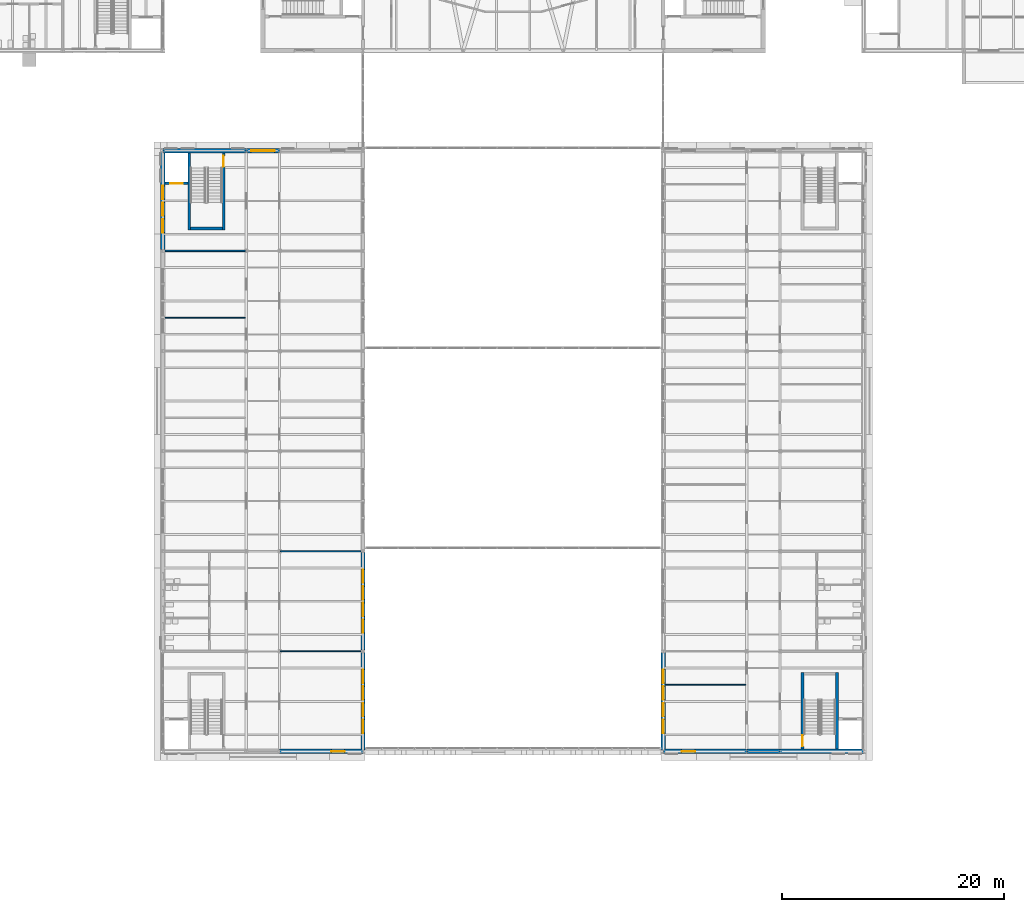
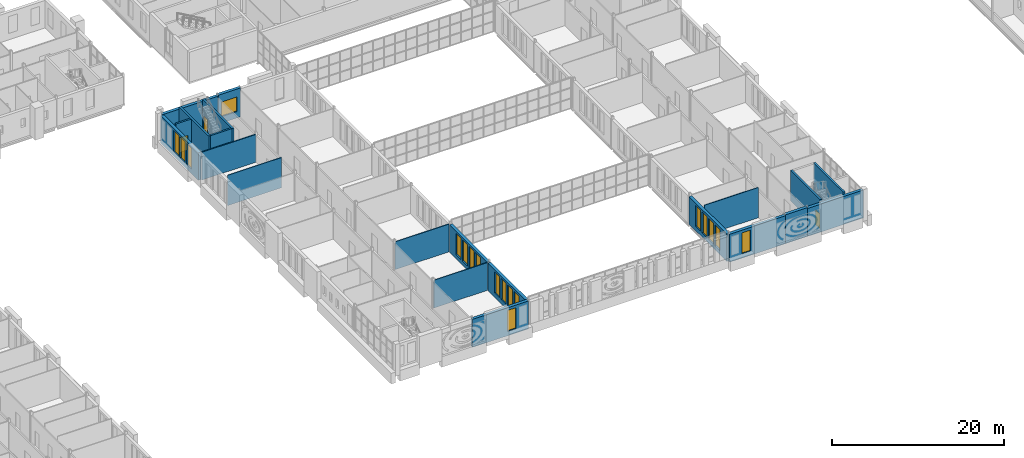
# One storey, part 76 of 131: 21 walls, 18 windows, 3 doors, 21 openings.
"""IFC4 building model written with IfcOpenShell, lengths in metres."""

from ifc_helpers import new_model, si_unit, direction, frame, frame_2d, origin, place, context, subcontext, project, spatial, rectangle, extrude, material, layer, layer_set, type_object, element, fill, save


model = new_model("IFC4")

# Units and contexts
model_context = context("Model", 3, precision=1e-05, world=origin(), true_north=direction((0.0, 1.0)))
body_context = subcontext(model_context, "Body", "Model", "MODEL_VIEW")
ifc_project = project(units=[si_unit("LENGTHUNIT", "METRE"), si_unit("AREAUNIT", "SQUARE_METRE"), si_unit("VOLUMEUNIT", "CUBIC_METRE"), si_unit("PLANEANGLEUNIT", "RADIAN"), si_unit("MASSUNIT", "GRAM", prefix="KILO")], contexts=[model_context])

# Site, building, storey
site_placement = place(None, origin())
site = spatial("IfcSite", under=ifc_project, at=site_placement, CompositionType="ELEMENT")
building_placement = place(site_placement, origin())
building = spatial("IfcBuilding", under=site, at=building_placement, Name="Golden Quay Civic Hall", CompositionType="ELEMENT")
storey_placement = place(building_placement, frame((0.0, 0.0, 9.89990234375)))
storey = spatial("IfcBuildingStorey", under=building, at=storey_placement, Name="L02", CompositionType="ELEMENT", Elevation=9.89990234375)

# Wall
ifc_material_1 = material(Name="Concrete C40/50", Category="concrete")
ifc_layer_1 = layer(ifc_material_1, 0.25)
ifc_layer_set_1 = layer_set([ifc_layer_1], Name="Concrete core wall 250, Concrete C40/50")
wall_type_1 = type_object("IfcWallType", Name="Concrete core wall 250", PredefinedType="SHEAR", material=ifc_layer_set_1)
wall_1_placement = place(storey_placement, frame((56.375, 46.89990234375, 0.0), z_axis=(0.0, 0.0, 1.0), x_axis=(0.0, 1.0, 0.0)))
element("IfcWall", 1, at=wall_1_placement, inside=storey, type_object=wall_type_1, Name="Core wall WM-N-W1", PredefinedType="SHEAR", context=body_context, shape_type="SweptSolid", body=[
    extrude(rectangle(XDim=6.900146484375, YDim=0.25, at=frame_2d((3.4501953125, 0.0))), origin(), (0.0, 0.0, 1.0), 4.300048828125),
])

# Wall, opening, door
wall_2_placement = place(storey_placement, frame((59.47509765625, 46.89990234375, 0.0), z_axis=(0.0, 0.0, 1.0), x_axis=(0.0, 1.0, 0.0)))
wall_2 = element("IfcWall", 2, at=wall_2_placement, inside=storey, type_object=wall_type_1, Name="Core wall WM-N-W2", PredefinedType="SHEAR", context=body_context, shape_type="SweptSolid", body=[
    extrude(rectangle(XDim=6.900146484375, YDim=0.25, at=frame_2d((3.4501953125, 0.0))), origin(), (0.0, 0.0, 1.0), 4.300048828125),
])
opening_1_placement = place(wall_2_placement, frame((5.64990234375, 0.0, 0.0)))
opening_1 = element("IfcOpeningElement", 3, at=opening_1_placement, cuts=wall_2, Name="Opening L02-D103", PredefinedType="OPENING", context=body_context, shape_type="SweptSolid", body=[
    extrude(rectangle(XDim=1.0, YDim=2.10009765625, at=frame_2d((0.5, 1.050048828125))), frame((0.0, 0.135009765625, 0.0), z_axis=(0.0, -1.0, 0.0), x_axis=(1.0, 0.0, 0.0)), (0.0, 0.0, 1.0), 0.27001953125),
])
ifc_material_2 = material(Name="Steel", Category="steel")
door_type_1 = type_object("IfcDoorType", Name="Steel fire door FD60 1000 x 2100", OperationType="SINGLE_SWING_LEFT", PredefinedType="DOOR", material=ifc_material_2)
door_1_placement = place(opening_1_placement, origin())
door_1 = element("IfcDoor", 4, at=door_1_placement, inside=storey, type_object=door_type_1, Name="Door L02-D103", OperationType="SINGLE_SWING_LEFT", OverallHeight=2.10009765625, OverallWidth=1.0, PredefinedType="DOOR", context=body_context, shape_type="SweptSolid", body=[
    extrude(rectangle(XDim=1.0, YDim=2.10009765625, at=frame_2d((0.5, 1.050048828125))), frame((0.0, 0.02490234375, 0.0), z_axis=(0.0, -1.0, 0.0), x_axis=(1.0, 0.0, 0.0)), (0.0, 0.0, 1.0), 0.050048828125),
])
fill(opening_1, door_1)

# Wall
wall_3_placement = place(storey_placement, frame((56.5, 47.02490234375, 0.0), z_axis=(0.0, 0.0, 1.0), x_axis=(1.0, 0.0, 0.0)))
element("IfcWall", 5, at=wall_3_placement, inside=storey, type_object=wall_type_1, Name="Core wall WM-N-W3", PredefinedType="SHEAR", context=body_context, shape_type="SweptSolid", body=[
    extrude(rectangle(XDim=2.85009765625, YDim=0.25, at=frame_2d((1.425048828125, 0.0))), origin(), (0.0, 0.0, 1.0), 4.300048828125),
])

# Wall, opening, door
wall_4_placement = place(storey_placement, frame((54.199951171875, 51.074951171875, 0.0), z_axis=(0.0, 0.0, 1.0), x_axis=(1.0, 0.0, 0.0)))
wall_4 = element("IfcWall", 6, at=wall_4_placement, inside=storey, type_object=wall_type_1, Name="Core wall WM-N-W4", PredefinedType="SHEAR", context=body_context, shape_type="SweptSolid", body=[
    extrude(rectangle(XDim=2.050048828125, YDim=0.25, at=frame_2d((1.02490234375, 0.0))), origin(), (0.0, 0.0, 1.0), 4.300048828125),
])
opening_2_placement = place(wall_4_placement, frame((0.47509765625, 0.0, 0.0)))
opening_2 = element("IfcOpeningElement", 7, at=opening_2_placement, cuts=wall_4, Name="Opening L02-D106", PredefinedType="OPENING", context=body_context, shape_type="SweptSolid", body=[
    extrude(rectangle(XDim=1.10009765625, YDim=2.10009765625, at=frame_2d((0.550048828125, 1.050048828125))), frame((0.0, 0.135009765625, 0.0), z_axis=(0.0, -1.0, 0.0), x_axis=(1.0, 0.0, 0.0)), (0.0, 0.0, 1.0), 0.27001953125),
])
ifc_material_3 = material(Name="Steel", Category="steel")
door_type_2 = type_object("IfcDoorType", Name="Lift landing door 1100 x 2100", OperationType="SLIDING_TO_LEFT", PredefinedType="DOOR", material=ifc_material_3)
door_2_placement = place(opening_2_placement, origin())
door_2 = element("IfcDoor", 8, at=door_2_placement, inside=storey, type_object=door_type_2, Name="Lift landing door L02-D106 WM-N", OperationType="SLIDING_TO_LEFT", OverallHeight=2.10009765625, OverallWidth=1.10009765625, PredefinedType="DOOR", context=body_context, shape_type="SweptSolid", body=[
    extrude(rectangle(XDim=1.10009765625, YDim=2.10009765625, at=frame_2d((0.550048828125, 1.050048828125))), frame((0.0, 0.02490234375, 0.0), z_axis=(0.0, -1.0, 0.0), x_axis=(1.0, 0.0, 0.0)), (0.0, 0.0, 1.0), 0.050048828125),
])
fill(opening_2, door_2)

# Wall
wall_5_placement = place(storey_placement, frame((114.625, 0.199951171875, 0.0), z_axis=(0.0, 0.0, 1.0), x_axis=(0.0, 1.0, 0.0)))
element("IfcWall", 9, at=wall_5_placement, inside=storey, type_object=wall_type_1, Name="Core wall EM-S-W1", PredefinedType="SHEAR", context=body_context, shape_type="SweptSolid", body=[
    extrude(rectangle(XDim=6.900146484375, YDim=0.25, at=frame_2d((3.4501953125, 0.0))), origin(), (0.0, 0.0, 1.0), 4.300048828125),
])

# Wall, opening, door
wall_6_placement = place(storey_placement, frame((111.52490234375, 0.199951171875, 0.0), z_axis=(0.0, 0.0, 1.0), x_axis=(0.0, 1.0, 0.0)))
wall_6 = element("IfcWall", 10, at=wall_6_placement, inside=storey, type_object=wall_type_1, Name="Core wall EM-S-W2", PredefinedType="SHEAR", context=body_context, shape_type="SweptSolid", body=[
    extrude(rectangle(XDim=6.900146484375, YDim=0.25, at=frame_2d((3.4501953125, 0.0))), origin(), (0.0, 0.0, 1.0), 4.300048828125),
])
opening_3_placement = place(wall_6_placement, frame((0.25, 0.0, 0.0)))
opening_3 = element("IfcOpeningElement", 11, at=opening_3_placement, cuts=wall_6, Name="Opening L02-D124", PredefinedType="OPENING", context=body_context, shape_type="SweptSolid", body=[
    extrude(rectangle(XDim=1.0, YDim=2.10009765625, at=frame_2d((0.5, 1.050048828125))), frame((0.0, 0.135009765625, 0.0), z_axis=(0.0, -1.0, 0.0), x_axis=(1.0, 0.0, 0.0)), (0.0, 0.0, 1.0), 0.27001953125),
])
door_3_placement = place(opening_3_placement, frame((1.0, 0.0, 0.0), z_axis=(0.0, 0.0, 1.0), x_axis=(-1.0, 0.0, 0.0)))
door_3 = element("IfcDoor", 12, at=door_3_placement, inside=storey, type_object=door_type_1, Name="Door L02-D124", OperationType="SINGLE_SWING_RIGHT", OverallHeight=2.10009765625, OverallWidth=1.0, PredefinedType="DOOR", context=body_context, shape_type="SweptSolid", body=[
    extrude(rectangle(XDim=1.0, YDim=2.10009765625, at=frame_2d((0.5, 1.050048828125))), frame((0.0, 0.025146484375, 0.0), z_axis=(0.0, -1.0, 0.0), x_axis=(1.0, 0.0, 0.0)), (0.0, 0.0, 1.0), 0.050048828125),
])
fill(opening_3, door_3)

# Walls
ifc_material_4 = material(Name="Plasterboard on steel studs", Category="steel")
ifc_layer_2 = layer(ifc_material_4, 0.10009765625)
ifc_layer_set_2 = layer_set([ifc_layer_2], Name="Partition 100 stud")
wall_type_2 = type_object("IfcWallType", Name="Partition 100 stud", PredefinedType="PARTITIONING", material=ifc_layer_set_2)
wall_7_placement = place(storey_placement, frame((54.199951171875, 39.0, 0.0), z_axis=(0.0, 0.0, 1.0), x_axis=(1.0, 0.0, 0.0)))
element("IfcWall", 13, at=wall_7_placement, inside=storey, type_object=wall_type_2, Name="Partition L02-004", PredefinedType="PARTITIONING", context=body_context, shape_type="SweptSolid", body=[
    extrude(rectangle(XDim=7.22509765625, YDim=0.10009765625, at=frame_2d((3.612548828125, 0.0))), origin(), (0.0, 0.0, 1.0), 4.300048828125),
])
for number, where, z_axis, x_axis, name in (
    (14, (64.574951171875, 9.0, 0.0), (0.0, 0.0, 1.0), (1.0, 0.0, 0.0), "Partition L02-006"),
    (15, (64.574951171875, 18.0, 0.0), (0.0, 0.0, 1.0), (1.0, 0.0, 0.0), "Partition L02-007"),
):
    element("IfcWall", number, at=place(storey_placement, frame(where, z_axis=z_axis, x_axis=x_axis)), inside=storey, type_object=wall_type_2, Name=name, PredefinedType="PARTITIONING", context=body_context, shape_type="SweptSolid", body=[
        extrude(rectangle(XDim=7.22509765625, YDim=0.10009765625, at=frame_2d((3.612548828125, 0.0))), origin(), (0.0, 0.0, 1.0), 3.9501953125),
    ])
wall_8_placement = place(storey_placement, frame((99.199951171875, 6.0, 0.0), z_axis=(0.0, 0.0, 1.0), x_axis=(1.0, 0.0, 0.0)))
element("IfcWall", 16, at=wall_8_placement, inside=storey, type_object=wall_type_2, Name="Partition L02-005", PredefinedType="PARTITIONING", context=body_context, shape_type="SweptSolid", body=[
    extrude(rectangle(XDim=7.22509765625, YDim=0.10009765625, at=frame_2d((3.612548828125, 0.0))), origin(), (0.0, 0.0, 1.0), 4.300048828125),
])
ifc_material_5 = material(Name="Plasterboard on steel studs", Category="steel")
ifc_layer_3 = layer(ifc_material_5, 0.14990234375)
ifc_layer_set_3 = layer_set([ifc_layer_3], Name="Partition 150 stud fire EI 60")
wall_type_3 = type_object("IfcWallType", Name="Partition 150 stud fire EI 60", PredefinedType="PARTITIONING", material=ifc_layer_set_3)
wall_9_placement = place(storey_placement, frame((54.199951171875, 45.0, 0.0), z_axis=(0.0, 0.0, 1.0), x_axis=(1.0, 0.0, 0.0)))
element("IfcWall", 17, at=wall_9_placement, inside=storey, type_object=wall_type_3, Name="Partition L02-005", PredefinedType="PARTITIONING", context=body_context, shape_type="SweptSolid", body=[
    extrude(rectangle(XDim=7.22509765625, YDim=0.14990234375, at=frame_2d((3.612548828125, 0.0))), origin(), (0.0, 0.0, 1.0), 3.9501953125),
])

# Wall, opening, window
ifc_material_6 = material(Name="Clay block, rendered, cream")
ifc_layer_4 = layer(ifc_material_6, 0.39990234375)
ifc_layer_set_4 = layer_set([ifc_layer_4], Name="Rendered block external wall 400")
wall_type_4 = type_object("IfcWallType", Name="Rendered block external wall 400", PredefinedType="STANDARD", material=ifc_layer_set_4)
wall_10_placement = place(storey_placement, frame((61.5087890625, 54.0, 0.0), z_axis=(0.0, 0.0, 1.0), x_axis=(1.0, 0.0, 0.0)))
wall_10 = element("IfcWall", 18, at=wall_10_placement, inside=storey, type_object=wall_type_4, Name="Rendered block external wall 400 L02 25", PredefinedType="STANDARD", context=body_context, shape_type="SweptSolid", body=[
    extrude(rectangle(XDim=2.982421875, YDim=0.39990234375, at=frame_2d((1.4912109375, 0.0))), origin(), (0.0, 0.0, 1.0), 4.10009765625),
])
opening_4_placement = place(wall_10_placement, frame((0.441162109375, 0.0, 0.89990234375)))
opening_4 = element("IfcOpeningElement", 19, at=opening_4_placement, cuts=wall_10, Name="Opening WN2", PredefinedType="OPENING", context=body_context, shape_type="SweptSolid", body=[
    extrude(rectangle(XDim=2.10009765625, YDim=2.10009765625, at=frame_2d((1.050048828125, 1.050048828125))), frame((0.0, 0.2099609375, 0.0), z_axis=(0.0, -1.0, 0.0), x_axis=(1.0, 0.0, 0.0)), (0.0, 0.0, 1.0), 0.419921875),
])
ifc_material_7 = material(Name="Aluminium frame, double glazed", Category="aluminium")
window_type_1 = type_object("IfcWindowType", Name="Corridor end window 2100 x 2100", PartitioningType="SINGLE_PANEL", PredefinedType="WINDOW", material=ifc_material_7)
window_1_placement = place(opening_4_placement, origin())
window_1 = element("IfcWindow", 20, at=window_1_placement, inside=storey, type_object=window_type_1, Name="Corridor end window 2100 x 2100 L02 2", OverallHeight=2.10009765625, OverallWidth=2.10009765625, PartitioningType="SINGLE_PANEL", PredefinedType="WINDOW", context=body_context, shape_type="SweptSolid", body=[
    extrude(rectangle(XDim=2.10009765625, YDim=2.10009765625, at=frame_2d((1.050048828125, 1.050048828125))), frame((0.0, 0.030029296875, 0.0), z_axis=(0.0, -1.0, 0.0), x_axis=(1.0, 0.0, 0.0)), (0.0, 0.0, 1.0), 0.06005859375),
])
fill(opening_4, window_1)

# Wall, openings, windows
wall_11_placement = place(storey_placement, frame((72.0, 8.885009765625, 0.0), z_axis=(0.0, 0.0, 1.0), x_axis=(0.0, -1.0, 0.0)))
wall_11 = element("IfcWall", 21, at=wall_11_placement, inside=storey, type_object=wall_type_4, Name="Rendered block external wall 400 L02 27", PredefinedType="STANDARD", context=body_context, shape_type="SweptSolid", body=[
    extrude(rectangle(XDim=8.77001953125, YDim=0.39990234375, at=frame_2d((4.385009765625, 0.0))), origin(), (0.0, 0.0, 1.0), 3.900146484375),
])
opening_5_placement = place(wall_11_placement, frame((6.034912109375, 0.0, 0.60009765625)))
opening_5 = element("IfcOpeningElement", 22, at=opening_5_placement, cuts=wall_11, Name="Opening WN5", PredefinedType="OPENING", context=body_context, shape_type="SweptSolid", body=[
    extrude(rectangle(XDim=1.199951171875, YDim=3.0, at=frame_2d((0.60009765625, 1.5))), frame((0.0, 0.2099609375, 0.0), z_axis=(0.0, -1.0, 0.0), x_axis=(1.0, 0.0, 0.0)), (0.0, 0.0, 1.0), 0.419921875),
])
opening_6_placement = place(wall_11_placement, frame((4.534912109375, 0.0, 0.60009765625)))
opening_6 = element("IfcOpeningElement", 23, at=opening_6_placement, cuts=wall_11, Name="Opening WN5", PredefinedType="OPENING", context=body_context, shape_type="SweptSolid", body=[
    extrude(rectangle(XDim=1.199951171875, YDim=3.0, at=frame_2d((0.60009765625, 1.5))), frame((0.0, 0.2099609375, 0.0), z_axis=(0.0, -1.0, 0.0), x_axis=(1.0, 0.0, 0.0)), (0.0, 0.0, 1.0), 0.419921875),
])
opening_7_placement = place(wall_11_placement, frame((3.034912109375, 0.0, 0.60009765625)))
opening_7 = element("IfcOpeningElement", 24, at=opening_7_placement, cuts=wall_11, Name="Opening WN5", PredefinedType="OPENING", context=body_context, shape_type="SweptSolid", body=[
    extrude(rectangle(XDim=1.199951171875, YDim=3.0, at=frame_2d((0.60009765625, 1.5))), frame((0.0, 0.2099609375, 0.0), z_axis=(0.0, -1.0, 0.0), x_axis=(1.0, 0.0, 0.0)), (0.0, 0.0, 1.0), 0.419921875),
])
opening_8_placement = place(wall_11_placement, frame((1.534912109375, 0.0, 0.60009765625)))
opening_8 = element("IfcOpeningElement", 25, at=opening_8_placement, cuts=wall_11, Name="Opening WN5", PredefinedType="OPENING", context=body_context, shape_type="SweptSolid", body=[
    extrude(rectangle(XDim=1.199951171875, YDim=3.0, at=frame_2d((0.60009765625, 1.5))), frame((0.0, 0.2099609375, 0.0), z_axis=(0.0, -1.0, 0.0), x_axis=(1.0, 0.0, 0.0)), (0.0, 0.0, 1.0), 0.419921875),
])
ifc_material_8 = material(Name="Aluminium frame, double glazed", Category="aluminium")
window_type_2 = type_object("IfcWindowType", Name="Golden grid window 1200 x 3000", PartitioningType="SINGLE_PANEL", PredefinedType="WINDOW", material=ifc_material_8)
window_2_placement = place(opening_5_placement, origin())
window_2 = element("IfcWindow", 26, at=window_2_placement, inside=storey, type_object=window_type_2, Name="Golden grid window 1200 x 3000 L02 50", OverallHeight=3.0, OverallWidth=1.199951171875, PartitioningType="SINGLE_PANEL", PredefinedType="WINDOW", context=body_context, shape_type="SweptSolid", body=[
    extrude(rectangle(XDim=1.199951171875, YDim=3.0, at=frame_2d((0.60009765625, 1.5))), frame((0.0, 0.030029296875, 0.0), z_axis=(0.0, -1.0, 0.0), x_axis=(1.0, 0.0, 0.0)), (0.0, 0.0, 1.0), 0.06005859375),
])
fill(opening_5, window_2)
window_3_placement = place(opening_6_placement, origin())
window_3 = element("IfcWindow", 27, at=window_3_placement, inside=storey, type_object=window_type_2, Name="Golden grid window 1200 x 3000 L02 51", OverallHeight=3.0, OverallWidth=1.199951171875, PartitioningType="SINGLE_PANEL", PredefinedType="WINDOW", context=body_context, shape_type="SweptSolid", body=[
    extrude(rectangle(XDim=1.199951171875, YDim=3.0, at=frame_2d((0.60009765625, 1.5))), frame((0.0, 0.030029296875, 0.0), z_axis=(0.0, -1.0, 0.0), x_axis=(1.0, 0.0, 0.0)), (0.0, 0.0, 1.0), 0.06005859375),
])
fill(opening_6, window_3)
window_4_placement = place(opening_7_placement, origin())
window_4 = element("IfcWindow", 28, at=window_4_placement, inside=storey, type_object=window_type_2, Name="Golden grid window 1200 x 3000 L02 52", OverallHeight=3.0, OverallWidth=1.199951171875, PartitioningType="SINGLE_PANEL", PredefinedType="WINDOW", context=body_context, shape_type="SweptSolid", body=[
    extrude(rectangle(XDim=1.199951171875, YDim=3.0, at=frame_2d((0.60009765625, 1.5))), frame((0.0, 0.030029296875, 0.0), z_axis=(0.0, -1.0, 0.0), x_axis=(1.0, 0.0, 0.0)), (0.0, 0.0, 1.0), 0.06005859375),
])
fill(opening_7, window_4)
window_5_placement = place(opening_8_placement, origin())
window_5 = element("IfcWindow", 29, at=window_5_placement, inside=storey, type_object=window_type_2, Name="Golden grid window 1200 x 3000 L02 53", OverallHeight=3.0, OverallWidth=1.199951171875, PartitioningType="SINGLE_PANEL", PredefinedType="WINDOW", context=body_context, shape_type="SweptSolid", body=[
    extrude(rectangle(XDim=1.199951171875, YDim=3.0, at=frame_2d((0.60009765625, 1.5))), frame((0.0, 0.030029296875, 0.0), z_axis=(0.0, -1.0, 0.0), x_axis=(1.0, 0.0, 0.0)), (0.0, 0.0, 1.0), 0.06005859375),
])
fill(opening_8, window_5)

wall_12_placement = place(storey_placement, frame((72.0, 17.885009765625, 0.0), z_axis=(0.0, 0.0, 1.0), x_axis=(0.0, -1.0, 0.0)))
wall_12 = element("IfcWall", 30, at=wall_12_placement, inside=storey, type_object=wall_type_4, Name="Rendered block external wall 400 L02 28", PredefinedType="STANDARD", context=body_context, shape_type="SweptSolid", body=[
    extrude(rectangle(XDim=8.77001953125, YDim=0.39990234375, at=frame_2d((4.385009765625, 0.0))), origin(), (0.0, 0.0, 1.0), 3.900146484375),
])
opening_9_placement = place(wall_12_placement, frame((6.034912109375, 0.0, 0.60009765625)))
opening_9 = element("IfcOpeningElement", 31, at=opening_9_placement, cuts=wall_12, Name="Opening WN5", PredefinedType="OPENING", context=body_context, shape_type="SweptSolid", body=[
    extrude(rectangle(XDim=1.199951171875, YDim=3.0, at=frame_2d((0.60009765625, 1.5))), frame((0.0, 0.2099609375, 0.0), z_axis=(0.0, -1.0, 0.0), x_axis=(1.0, 0.0, 0.0)), (0.0, 0.0, 1.0), 0.419921875),
])
opening_10_placement = place(wall_12_placement, frame((4.534912109375, 0.0, 0.60009765625)))
opening_10 = element("IfcOpeningElement", 32, at=opening_10_placement, cuts=wall_12, Name="Opening WN5", PredefinedType="OPENING", context=body_context, shape_type="SweptSolid", body=[
    extrude(rectangle(XDim=1.199951171875, YDim=3.0, at=frame_2d((0.60009765625, 1.5))), frame((0.0, 0.2099609375, 0.0), z_axis=(0.0, -1.0, 0.0), x_axis=(1.0, 0.0, 0.0)), (0.0, 0.0, 1.0), 0.419921875),
])
opening_11_placement = place(wall_12_placement, frame((3.034912109375, 0.0, 0.60009765625)))
opening_11 = element("IfcOpeningElement", 33, at=opening_11_placement, cuts=wall_12, Name="Opening WN5", PredefinedType="OPENING", context=body_context, shape_type="SweptSolid", body=[
    extrude(rectangle(XDim=1.199951171875, YDim=3.0, at=frame_2d((0.60009765625, 1.5))), frame((0.0, 0.2099609375, 0.0), z_axis=(0.0, -1.0, 0.0), x_axis=(1.0, 0.0, 0.0)), (0.0, 0.0, 1.0), 0.419921875),
])
opening_12_placement = place(wall_12_placement, frame((1.534912109375, 0.0, 0.60009765625)))
opening_12 = element("IfcOpeningElement", 34, at=opening_12_placement, cuts=wall_12, Name="Opening WN5", PredefinedType="OPENING", context=body_context, shape_type="SweptSolid", body=[
    extrude(rectangle(XDim=1.199951171875, YDim=3.0, at=frame_2d((0.60009765625, 1.5))), frame((0.0, 0.2099609375, 0.0), z_axis=(0.0, -1.0, 0.0), x_axis=(1.0, 0.0, 0.0)), (0.0, 0.0, 1.0), 0.419921875),
])
window_6_placement = place(opening_9_placement, origin())
window_6 = element("IfcWindow", 35, at=window_6_placement, inside=storey, type_object=window_type_2, Name="Golden grid window 1200 x 3000 L02 54", OverallHeight=3.0, OverallWidth=1.199951171875, PartitioningType="SINGLE_PANEL", PredefinedType="WINDOW", context=body_context, shape_type="SweptSolid", body=[
    extrude(rectangle(XDim=1.199951171875, YDim=3.0, at=frame_2d((0.60009765625, 1.5))), frame((0.0, 0.030029296875, 0.0), z_axis=(0.0, -1.0, 0.0), x_axis=(1.0, 0.0, 0.0)), (0.0, 0.0, 1.0), 0.06005859375),
])
fill(opening_9, window_6)
window_7_placement = place(opening_10_placement, origin())
window_7 = element("IfcWindow", 36, at=window_7_placement, inside=storey, type_object=window_type_2, Name="Golden grid window 1200 x 3000 L02 55", OverallHeight=3.0, OverallWidth=1.199951171875, PartitioningType="SINGLE_PANEL", PredefinedType="WINDOW", context=body_context, shape_type="SweptSolid", body=[
    extrude(rectangle(XDim=1.199951171875, YDim=3.0, at=frame_2d((0.60009765625, 1.5))), frame((0.0, 0.030029296875, 0.0), z_axis=(0.0, -1.0, 0.0), x_axis=(1.0, 0.0, 0.0)), (0.0, 0.0, 1.0), 0.06005859375),
])
fill(opening_10, window_7)
window_8_placement = place(opening_11_placement, origin())
window_8 = element("IfcWindow", 37, at=window_8_placement, inside=storey, type_object=window_type_2, Name="Golden grid window 1200 x 3000 L02 56", OverallHeight=3.0, OverallWidth=1.199951171875, PartitioningType="SINGLE_PANEL", PredefinedType="WINDOW", context=body_context, shape_type="SweptSolid", body=[
    extrude(rectangle(XDim=1.199951171875, YDim=3.0, at=frame_2d((0.60009765625, 1.5))), frame((0.0, 0.030029296875, 0.0), z_axis=(0.0, -1.0, 0.0), x_axis=(1.0, 0.0, 0.0)), (0.0, 0.0, 1.0), 0.06005859375),
])
fill(opening_11, window_8)
window_9_placement = place(opening_12_placement, origin())
window_9 = element("IfcWindow", 38, at=window_9_placement, inside=storey, type_object=window_type_2, Name="Golden grid window 1200 x 3000 L02 57", OverallHeight=3.0, OverallWidth=1.199951171875, PartitioningType="SINGLE_PANEL", PredefinedType="WINDOW", context=body_context, shape_type="SweptSolid", body=[
    extrude(rectangle(XDim=1.199951171875, YDim=3.0, at=frame_2d((0.60009765625, 1.5))), frame((0.0, 0.030029296875, 0.0), z_axis=(0.0, -1.0, 0.0), x_axis=(1.0, 0.0, 0.0)), (0.0, 0.0, 1.0), 0.06005859375),
])
fill(opening_12, window_9)

# Wall, opening, window
wall_13_placement = place(storey_placement, frame((71.9912109375, 0.0, 0.0), z_axis=(0.0, 0.0, 1.0), x_axis=(-1.0, 0.0, 0.0)))
wall_13 = element("IfcWall", 39, at=wall_13_placement, inside=storey, type_object=wall_type_4, Name="Rendered block external wall 400 L02 34", PredefinedType="STANDARD", context=body_context, shape_type="SweptSolid", body=[
    extrude(rectangle(XDim=7.482421875, YDim=0.39990234375, at=frame_2d((3.7412109375, 0.0))), origin(), (0.0, 0.0, 1.0), 3.97021484375),
])
opening_13_placement = place(wall_13_placement, frame((1.641357421875, 0.0, 0.60009765625)))
opening_13 = element("IfcOpeningElement", 40, at=opening_13_placement, cuts=wall_13, Name="Opening WN5", PredefinedType="OPENING", context=body_context, shape_type="SweptSolid", body=[
    extrude(rectangle(XDim=1.199951171875, YDim=3.0, at=frame_2d((0.60009765625, 1.5))), frame((0.0, 0.2099609375, 0.0), z_axis=(0.0, -1.0, 0.0), x_axis=(1.0, 0.0, 0.0)), (0.0, 0.0, 1.0), 0.419921875),
])
window_10_placement = place(opening_13_placement, origin())
window_10 = element("IfcWindow", 41, at=window_10_placement, inside=storey, type_object=window_type_2, Name="Golden grid window 1200 x 3000 L02 74", OverallHeight=3.0, OverallWidth=1.199951171875, PartitioningType="SINGLE_PANEL", PredefinedType="WINDOW", context=body_context, shape_type="SweptSolid", body=[
    extrude(rectangle(XDim=1.199951171875, YDim=3.0, at=frame_2d((0.60009765625, 1.5))), frame((0.0, 0.030029296875, 0.0), z_axis=(0.0, -1.0, 0.0), x_axis=(1.0, 0.0, 0.0)), (0.0, 0.0, 1.0), 0.06005859375),
])
fill(opening_13, window_10)

# Wall, openings, windows
wall_14_placement = place(storey_placement, frame((99.0, 0.114990234375, 0.0), z_axis=(0.0, 0.0, 1.0), x_axis=(0.0, 1.0, 0.0)))
wall_14 = element("IfcWall", 42, at=wall_14_placement, inside=storey, type_object=wall_type_4, Name="Rendered block external wall 400 L02 35", PredefinedType="STANDARD", context=body_context, shape_type="SweptSolid", body=[
    extrude(rectangle(XDim=8.77001953125, YDim=0.39990234375, at=frame_2d((4.385009765625, 0.0))), origin(), (0.0, 0.0, 1.0), 3.900146484375),
])
opening_14_placement = place(wall_14_placement, frame((1.534912109375, 0.0, 0.60009765625)))
opening_14 = element("IfcOpeningElement", 43, at=opening_14_placement, cuts=wall_14, Name="Opening WN5", PredefinedType="OPENING", context=body_context, shape_type="SweptSolid", body=[
    extrude(rectangle(XDim=1.199951171875, YDim=3.0, at=frame_2d((0.60009765625, 1.5))), frame((0.0, 0.2099609375, 0.0), z_axis=(0.0, -1.0, 0.0), x_axis=(1.0, 0.0, 0.0)), (0.0, 0.0, 1.0), 0.419921875),
])
opening_15_placement = place(wall_14_placement, frame((3.034912109375, 0.0, 0.60009765625)))
opening_15 = element("IfcOpeningElement", 44, at=opening_15_placement, cuts=wall_14, Name="Opening WN5", PredefinedType="OPENING", context=body_context, shape_type="SweptSolid", body=[
    extrude(rectangle(XDim=1.199951171875, YDim=3.0, at=frame_2d((0.60009765625, 1.5))), frame((0.0, 0.2099609375, 0.0), z_axis=(0.0, -1.0, 0.0), x_axis=(1.0, 0.0, 0.0)), (0.0, 0.0, 1.0), 0.419921875),
])
opening_16_placement = place(wall_14_placement, frame((4.534912109375, 0.0, 0.60009765625)))
opening_16 = element("IfcOpeningElement", 45, at=opening_16_placement, cuts=wall_14, Name="Opening WN5", PredefinedType="OPENING", context=body_context, shape_type="SweptSolid", body=[
    extrude(rectangle(XDim=1.199951171875, YDim=3.0, at=frame_2d((0.60009765625, 1.5))), frame((0.0, 0.2099609375, 0.0), z_axis=(0.0, -1.0, 0.0), x_axis=(1.0, 0.0, 0.0)), (0.0, 0.0, 1.0), 0.419921875),
])
opening_17_placement = place(wall_14_placement, frame((6.034912109375, 0.0, 0.60009765625)))
opening_17 = element("IfcOpeningElement", 46, at=opening_17_placement, cuts=wall_14, Name="Opening WN5", PredefinedType="OPENING", context=body_context, shape_type="SweptSolid", body=[
    extrude(rectangle(XDim=1.199951171875, YDim=3.0, at=frame_2d((0.60009765625, 1.5))), frame((0.0, 0.2099609375, 0.0), z_axis=(0.0, -1.0, 0.0), x_axis=(1.0, 0.0, 0.0)), (0.0, 0.0, 1.0), 0.419921875),
])
window_11_placement = place(opening_14_placement, origin())
window_11 = element("IfcWindow", 47, at=window_11_placement, inside=storey, type_object=window_type_2, Name="Golden grid window 1200 x 3000 L02 75", OverallHeight=3.0, OverallWidth=1.199951171875, PartitioningType="SINGLE_PANEL", PredefinedType="WINDOW", context=body_context, shape_type="SweptSolid", body=[
    extrude(rectangle(XDim=1.199951171875, YDim=3.0, at=frame_2d((0.60009765625, 1.5))), frame((0.0, 0.030029296875, 0.0), z_axis=(0.0, -1.0, 0.0), x_axis=(1.0, 0.0, 0.0)), (0.0, 0.0, 1.0), 0.06005859375),
])
fill(opening_14, window_11)
window_12_placement = place(opening_15_placement, origin())
window_12 = element("IfcWindow", 48, at=window_12_placement, inside=storey, type_object=window_type_2, Name="Golden grid window 1200 x 3000 L02 76", OverallHeight=3.0, OverallWidth=1.199951171875, PartitioningType="SINGLE_PANEL", PredefinedType="WINDOW", context=body_context, shape_type="SweptSolid", body=[
    extrude(rectangle(XDim=1.199951171875, YDim=3.0, at=frame_2d((0.60009765625, 1.5))), frame((0.0, 0.030029296875, 0.0), z_axis=(0.0, -1.0, 0.0), x_axis=(1.0, 0.0, 0.0)), (0.0, 0.0, 1.0), 0.06005859375),
])
fill(opening_15, window_12)
window_13_placement = place(opening_16_placement, origin())
window_13 = element("IfcWindow", 49, at=window_13_placement, inside=storey, type_object=window_type_2, Name="Golden grid window 1200 x 3000 L02 77", OverallHeight=3.0, OverallWidth=1.199951171875, PartitioningType="SINGLE_PANEL", PredefinedType="WINDOW", context=body_context, shape_type="SweptSolid", body=[
    extrude(rectangle(XDim=1.199951171875, YDim=3.0, at=frame_2d((0.60009765625, 1.5))), frame((0.0, 0.030029296875, 0.0), z_axis=(0.0, -1.0, 0.0), x_axis=(1.0, 0.0, 0.0)), (0.0, 0.0, 1.0), 0.06005859375),
])
fill(opening_16, window_13)
window_14_placement = place(opening_17_placement, origin())
window_14 = element("IfcWindow", 50, at=window_14_placement, inside=storey, type_object=window_type_2, Name="Golden grid window 1200 x 3000 L02 78", OverallHeight=3.0, OverallWidth=1.199951171875, PartitioningType="SINGLE_PANEL", PredefinedType="WINDOW", context=body_context, shape_type="SweptSolid", body=[
    extrude(rectangle(XDim=1.199951171875, YDim=3.0, at=frame_2d((0.60009765625, 1.5))), frame((0.0, 0.030029296875, 0.0), z_axis=(0.0, -1.0, 0.0), x_axis=(1.0, 0.0, 0.0)), (0.0, 0.0, 1.0), 0.06005859375),
])
fill(opening_17, window_14)

# Wall, opening, window
wall_15_placement = place(storey_placement, frame((106.4912109375, 0.0, 0.0), z_axis=(0.0, 0.0, 1.0), x_axis=(-1.0, 0.0, 0.0)))
wall_15 = element("IfcWall", 51, at=wall_15_placement, inside=storey, type_object=wall_type_4, Name="Rendered block external wall 400 L02 47", PredefinedType="STANDARD", context=body_context, shape_type="SweptSolid", body=[
    extrude(rectangle(XDim=7.482421875, YDim=0.39990234375, at=frame_2d((3.7412109375, 0.0))), origin(), (0.0, 0.0, 1.0), 3.97021484375),
])
opening_18_placement = place(wall_15_placement, frame((4.641357421875, 0.0, 0.60009765625)))
opening_18 = element("IfcOpeningElement", 52, at=opening_18_placement, cuts=wall_15, Name="Opening WN5", PredefinedType="OPENING", context=body_context, shape_type="SweptSolid", body=[
    extrude(rectangle(XDim=1.199951171875, YDim=3.0, at=frame_2d((0.60009765625, 1.5))), frame((0.0, 0.2099609375, 0.0), z_axis=(0.0, -1.0, 0.0), x_axis=(1.0, 0.0, 0.0)), (0.0, 0.0, 1.0), 0.419921875),
])
window_15_placement = place(opening_18_placement, origin())
window_15 = element("IfcWindow", 53, at=window_15_placement, inside=storey, type_object=window_type_2, Name="Golden grid window 1200 x 3000 L02 111", OverallHeight=3.0, OverallWidth=1.199951171875, PartitioningType="SINGLE_PANEL", PredefinedType="WINDOW", context=body_context, shape_type="SweptSolid", body=[
    extrude(rectangle(XDim=1.199951171875, YDim=3.0, at=frame_2d((0.60009765625, 1.5))), frame((0.0, 0.030029296875, 0.0), z_axis=(0.0, -1.0, 0.0), x_axis=(1.0, 0.0, 0.0)), (0.0, 0.0, 1.0), 0.06005859375),
])
fill(opening_18, window_15)

# Wall
wall_16_placement = place(storey_placement, frame((109.4912109375, 0.0, 0.0), z_axis=(0.0, 0.0, 1.0), x_axis=(-1.0, 0.0, 0.0)))
element("IfcWall", 54, at=wall_16_placement, inside=storey, type_object=wall_type_4, Name="Rendered block external wall 400 L02 48", PredefinedType="STANDARD", context=body_context, shape_type="SweptSolid", body=[
    extrude(rectangle(XDim=2.982421875, YDim=0.39990234375, at=frame_2d((1.4912109375, 0.0))), origin(), (0.0, 0.0, 1.0), 4.10009765625),
])

# Wall, openings, windows
ifc_material_9 = material(Name="Clay block, rendered, cream")
ifc_layer_5 = layer(ifc_material_9, 0.39990234375)
ifc_layer_set_5 = layer_set([ifc_layer_5], Name="Rendered block external wall 400 fire EI 60")
wall_type_5 = type_object("IfcWallType", Name="Rendered block external wall 400 fire EI 60", PredefinedType="STANDARD", material=ifc_layer_set_5)
wall_17_placement = place(storey_placement, frame((54.0, 45.114990234375, 0.0), z_axis=(0.0, 0.0, 1.0), x_axis=(0.0, 1.0, 0.0)))
wall_17 = element("IfcWall", 55, at=wall_17_placement, inside=storey, type_object=wall_type_5, Name="Rendered block external wall 400 fire EI 60 L02 4", PredefinedType="STANDARD", context=body_context, shape_type="SweptSolid", body=[
    extrude(rectangle(XDim=8.77001953125, YDim=0.39990234375, at=frame_2d((4.385009765625, 0.0))), origin(), (0.0, 0.0, 1.0), 3.900146484375),
])
opening_19_placement = place(wall_17_placement, frame((1.534912109375, 0.0, 0.60009765625)))
opening_19 = element("IfcOpeningElement", 56, at=opening_19_placement, cuts=wall_17, Name="Opening WN5", PredefinedType="OPENING", context=body_context, shape_type="SweptSolid", body=[
    extrude(rectangle(XDim=1.199951171875, YDim=3.0, at=frame_2d((0.60009765625, 1.5))), frame((0.0, 0.2099609375, 0.0), z_axis=(0.0, -1.0, 0.0), x_axis=(1.0, 0.0, 0.0)), (0.0, 0.0, 1.0), 0.419921875),
])
opening_20_placement = place(wall_17_placement, frame((3.034912109375, 0.0, 0.60009765625)))
opening_20 = element("IfcOpeningElement", 57, at=opening_20_placement, cuts=wall_17, Name="Opening WN5", PredefinedType="OPENING", context=body_context, shape_type="SweptSolid", body=[
    extrude(rectangle(XDim=1.199951171875, YDim=3.0, at=frame_2d((0.60009765625, 1.5))), frame((0.0, 0.2099609375, 0.0), z_axis=(0.0, -1.0, 0.0), x_axis=(1.0, 0.0, 0.0)), (0.0, 0.0, 1.0), 0.419921875),
])
opening_21_placement = place(wall_17_placement, frame((4.534912109375, 0.0, 0.60009765625)))
opening_21 = element("IfcOpeningElement", 58, at=opening_21_placement, cuts=wall_17, Name="Opening WN5", PredefinedType="OPENING", context=body_context, shape_type="SweptSolid", body=[
    extrude(rectangle(XDim=1.199951171875, YDim=3.0, at=frame_2d((0.60009765625, 1.5))), frame((0.0, 0.2099609375, 0.0), z_axis=(0.0, -1.0, 0.0), x_axis=(1.0, 0.0, 0.0)), (0.0, 0.0, 1.0), 0.419921875),
])
window_16_placement = place(opening_19_placement, origin())
window_16 = element("IfcWindow", 59, at=window_16_placement, inside=storey, type_object=window_type_2, Name="Golden grid window 1200 x 3000 L02 46", OverallHeight=3.0, OverallWidth=1.199951171875, PartitioningType="SINGLE_PANEL", PredefinedType="WINDOW", context=body_context, shape_type="SweptSolid", body=[
    extrude(rectangle(XDim=1.199951171875, YDim=3.0, at=frame_2d((0.60009765625, 1.5))), frame((0.0, 0.030029296875, 0.0), z_axis=(0.0, -1.0, 0.0), x_axis=(1.0, 0.0, 0.0)), (0.0, 0.0, 1.0), 0.06005859375),
])
fill(opening_19, window_16)
window_17_placement = place(opening_20_placement, origin())
window_17 = element("IfcWindow", 60, at=window_17_placement, inside=storey, type_object=window_type_2, Name="Golden grid window 1200 x 3000 L02 47", OverallHeight=3.0, OverallWidth=1.199951171875, PartitioningType="SINGLE_PANEL", PredefinedType="WINDOW", context=body_context, shape_type="SweptSolid", body=[
    extrude(rectangle(XDim=1.199951171875, YDim=3.0, at=frame_2d((0.60009765625, 1.5))), frame((0.0, 0.030029296875, 0.0), z_axis=(0.0, -1.0, 0.0), x_axis=(1.0, 0.0, 0.0)), (0.0, 0.0, 1.0), 0.06005859375),
])
fill(opening_20, window_17)
window_18_placement = place(opening_21_placement, origin())
window_18 = element("IfcWindow", 61, at=window_18_placement, inside=storey, type_object=window_type_2, Name="Golden grid window 1200 x 3000 L02 48", OverallHeight=3.0, OverallWidth=1.199951171875, PartitioningType="SINGLE_PANEL", PredefinedType="WINDOW", context=body_context, shape_type="SweptSolid", body=[
    extrude(rectangle(XDim=1.199951171875, YDim=3.0, at=frame_2d((0.60009765625, 1.5))), frame((0.0, 0.030029296875, 0.0), z_axis=(0.0, -1.0, 0.0), x_axis=(1.0, 0.0, 0.0)), (0.0, 0.0, 1.0), 0.06005859375),
])
fill(opening_21, window_18)

# Walls
for number, where, z_axis, x_axis, name in (
    (62, (54.0087890625, 54.0, 0.0), (0.0, 0.0, 1.0), (1.0, 0.0, 0.0), "Rendered block external wall 400 fire EI 60 L02 5"),
    (63, (116.9912109375, 0.0, 0.0), (0.0, 0.0, 1.0), (-1.0, 0.0, 0.0), "Rendered block external wall 400 fire EI 60 L02 9"),
):
    element("IfcWall", number, at=place(storey_placement, frame(where, z_axis=z_axis, x_axis=x_axis)), inside=storey, type_object=wall_type_5, Name=name, PredefinedType="STANDARD", context=body_context, shape_type="SweptSolid", body=[
        extrude(rectangle(XDim=7.482421875, YDim=0.39990234375, at=frame_2d((3.7412109375, 0.0))), origin(), (0.0, 0.0, 1.0), 3.97021484375),
    ])

save(model, "model.ifc")
